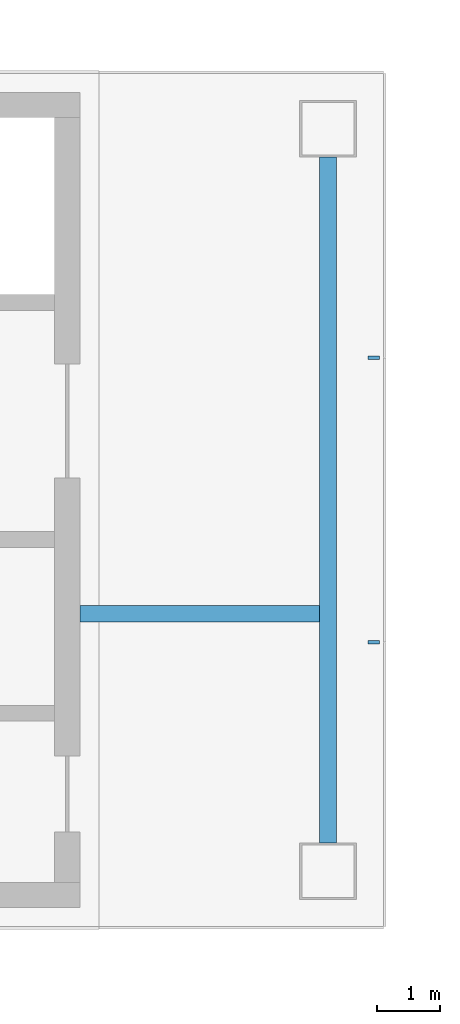
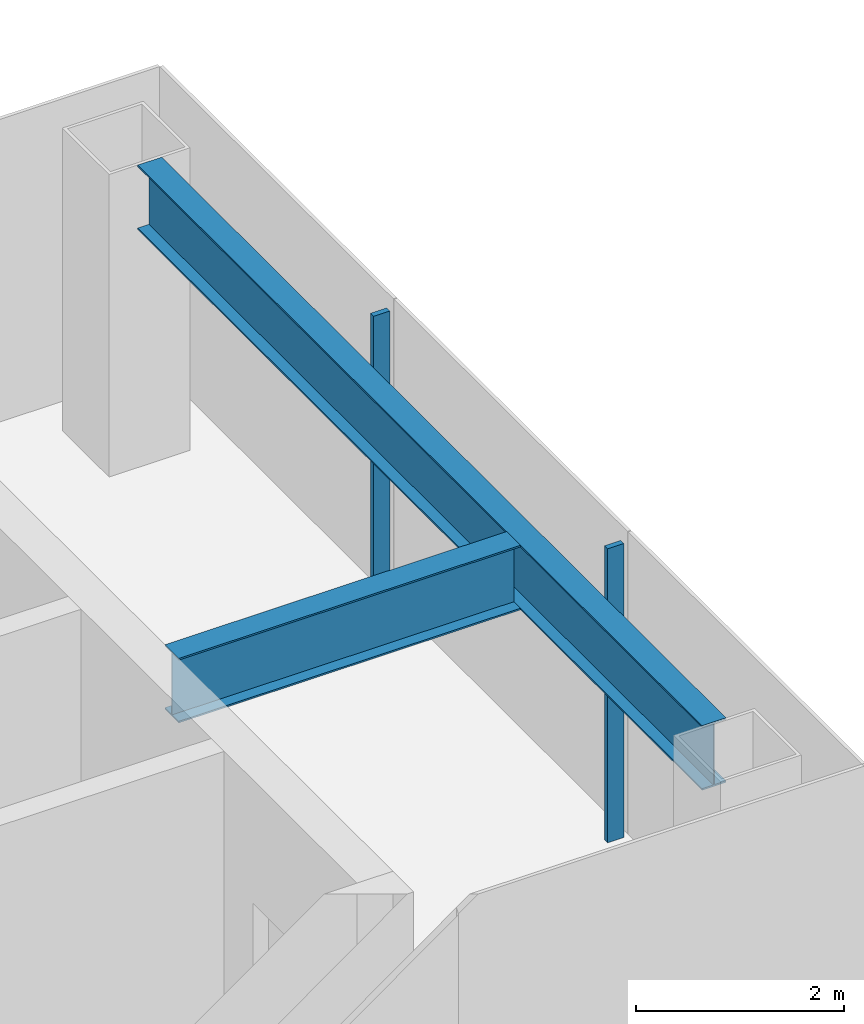
# One storey, part 4 of 16: 2 beams, 2 members, 1 element without a shape of its own.
"""IFC4 building model written with IfcOpenShell, lengths in metres."""

from ifc_helpers import new_model, si_unit, direction, frame, origin, origin_2d, place, context, subcontext, project, spatial, rectangle, i_section, extrude, material, layer, layer_set, material_profile, profile_set, type_object, element, aggregate, save


model = new_model("IFC4")

# Units and contexts
model_context = context("Model", 3, precision=1e-05, world=origin(), true_north=direction((0.0, 1.0)))
body_context = subcontext(model_context, "Body", "Model", "MODEL_VIEW")
ifc_project = project(units=[si_unit("LENGTHUNIT", "METRE"), si_unit("AREAUNIT", "SQUARE_METRE"), si_unit("VOLUMEUNIT", "CUBIC_METRE"), si_unit("PLANEANGLEUNIT", "RADIAN"), si_unit("MASSUNIT", "GRAM", prefix="KILO")], contexts=[model_context])

# Site, building, storey
site_placement = place(None, origin())
site = spatial("IfcSite", under=ifc_project, at=site_placement, CompositionType="ELEMENT")
building_placement = place(site_placement, origin())
building = spatial("IfcBuilding", under=site, at=building_placement, Name="Shamsa Quay Exchange Towers", CompositionType="ELEMENT")
storey_placement = place(building_placement, frame((0.0, 0.0, 242.10009765625)))
storey = spatial("IfcBuildingStorey", under=building, at=storey_placement, Name="L58", CompositionType="ELEMENT", Elevation=242.10009765625)

# Curtain wall, members
ifc_material_1 = material(Name="Aluminium EN AW-6063 T6, black anodised", Category="aluminium")
ifc_layer = layer(ifc_material_1, 0.280029296875)
ifc_layer_set = layer_set([ifc_layer], Name="CW-1 UNITISED VISION GLASS")
curtain_wall_type = type_object("IfcCurtainWallType", Name="CW-1 UNITISED VISION GLASS", PredefinedType="NOTDEFINED", material=ifc_layer_set)
curtain_wall_placement = place(storey_placement, origin())
curtain_wall = element("IfcCurtainWall", 1, at=curtain_wall_placement, inside=storey, type_object=curtain_wall_type, Name="CW1 T1-END-U+ L58", PredefinedType="NOTDEFINED")
ifc_material_profile_1 = material_profile(ifc_material_1, rectangle(XDim=0.179931640625, YDim=0.06005859375, at=origin_2d()), Name="MU60x180")
ifc_profile_set_1 = profile_set([ifc_material_profile_1], Name="Aluminium EN AW-6063 T6, black anodised")
member_type = type_object("IfcMemberType", Name="CW1 MULLION 60x180", PredefinedType="MULLION", material=ifc_profile_set_1)
member_1_placement = place(storey_placement, frame((-9.14990234375, -2.25, 0.0), z_axis=(0.0, 0.0, 1.0), x_axis=(-1.0, 0.0, 0.0)))
member_1 = element("IfcMember", 2, at=member_1_placement, type_object=member_type, Name="CW1 mullion", PredefinedType="MULLION", context=body_context, shape_type="SweptSolid", body=[
    extrude(rectangle(XDim=0.179931640625, YDim=0.06005859375, at=origin_2d()), origin(), (0.0, 0.0, 1.0), 3.449951171875),
])
member_2_placement = place(storey_placement, frame((-9.14990234375, 2.25, 0.0), z_axis=(0.0, 0.0, 1.0), x_axis=(-1.0, 0.0, 0.0)))
member_2 = element("IfcMember", 3, at=member_2_placement, type_object=member_type, Name="CW1 mullion", PredefinedType="MULLION", context=body_context, shape_type="SweptSolid", body=[
    extrude(rectangle(XDim=0.179931640625, YDim=0.06005859375, at=origin_2d()), origin(), (0.0, 0.0, 1.0), 3.449951171875),
])
aggregate(curtain_wall, [member_1, member_2])

# Beams
ifc_material_2 = material(Name="Steel S355", Category="steel")
ifc_material_profile_2 = material_profile(ifc_material_2, i_section(OverallWidth=0.26611328125, OverallDepth=0.7578125, WebThickness=0.013916015625, FlangeThickness=0.019287109375, at=origin_2d()), Name="W30x108")
ifc_profile_set_2 = profile_set([ifc_material_profile_2], Name="Steel S355")
beam_type = type_object("IfcBeamType", Name="End-zone beam W30x108", PredefinedType="BEAM", material=ifc_profile_set_2)
beam_1_placement = place(storey_placement, frame((-9.875, -5.425048828125, 3.171142578125), z_axis=(0.0, 1.0, 0.0), x_axis=(-1.0, 0.0, 0.0)))
element("IfcBeam", 4, at=beam_1_placement, inside=storey, type_object=beam_type, Name="End beam T1 U+ end zone L58", PredefinedType="BEAM", context=body_context, shape_type="SweptSolid", body=[
    extrude(i_section(OverallWidth=0.26611328125, OverallDepth=0.7578125, WebThickness=0.013916015625, FlangeThickness=0.019287109375, at=origin_2d()), origin(), (0.0, 0.0, 1.0), 10.85009765625),
])
beam_2_placement = place(storey_placement, frame((-13.800048828125, -1.800048828125, 3.171142578125), z_axis=(1.0, 0.0, 0.0), x_axis=(0.0, 1.0, 0.0)))
element("IfcBeam", 5, at=beam_2_placement, inside=storey, type_object=beam_type, Name="Spine beam T1 U+ end zone L58", PredefinedType="BEAM", context=body_context, shape_type="SweptSolid", body=[
    extrude(i_section(OverallWidth=0.26611328125, OverallDepth=0.7578125, WebThickness=0.013916015625, FlangeThickness=0.019287109375, at=origin_2d()), origin(), (0.0, 0.0, 1.0), 3.7919921875),
])

save(model, "model.ifc")
